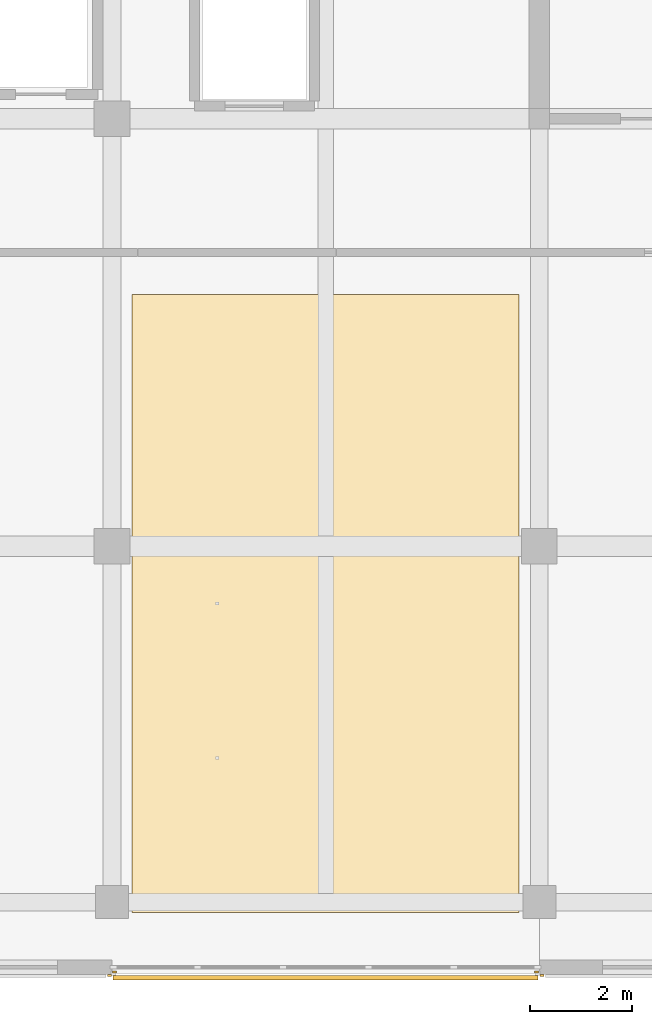
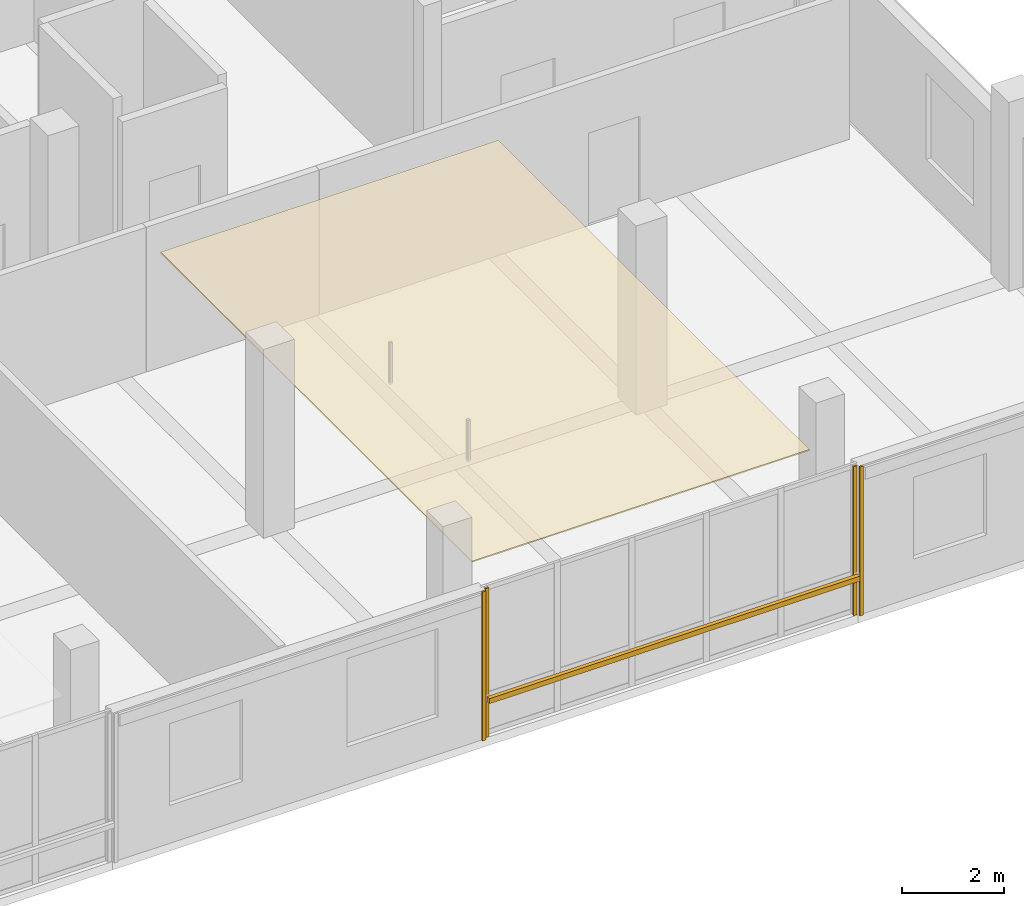
# One storey, part 22 of 28: 5 coverings, 1 shading device.
"""IFC4 building model written with IfcOpenShell, lengths in metres."""

from ifc_helpers import new_model, si_unit, direction, frame, origin, origin_2d, place, context, subcontext, project, spatial, polyline, rectangle, outline, extrude, material, layer, layer_set, type_object, element, save


model = new_model("IFC4")

# Units and contexts
model_context = context("Model", 3, precision=1e-05, world=origin(), true_north=direction((0.0, 1.0)))
body_context = subcontext(model_context, "Body", "Model", "MODEL_VIEW")
ifc_project = project(units=[si_unit("LENGTHUNIT", "METRE"), si_unit("AREAUNIT", "SQUARE_METRE"), si_unit("VOLUMEUNIT", "CUBIC_METRE"), si_unit("PLANEANGLEUNIT", "RADIAN"), si_unit("MASSUNIT", "GRAM", prefix="KILO")], contexts=[model_context])

# Site, building, storey
site_placement = place(None, origin())
site = spatial("IfcSite", under=ifc_project, at=site_placement, CompositionType="ELEMENT")
building_placement = place(site_placement, origin())
building = spatial("IfcBuilding", under=site, at=building_placement, Name="Telukmera Botanical Conservatory", CompositionType="ELEMENT")
storey_placement = place(building_placement, frame((0.0, 0.0, 51.0)))
storey = spatial("IfcBuildingStorey", under=building, at=storey_placement, Name="L11", CompositionType="ELEMENT", Elevation=51.0)

# Coverings
ifc_material_1 = material(Name="Mineral fibre acoustic ceiling")
ifc_layer_1 = layer(ifc_material_1, 0.030029296875)
ifc_layer_set_1 = layer_set([ifc_layer_1], Name="Mineral fibre acoustic ceiling")
covering_type_1 = type_object("IfcCoveringType", Name="COV-CEIL-30", PredefinedType="CEILING", material=ifc_layer_set_1)
covering_placement = place(storey_placement, frame((0.0, 0.0, 3.320068359375)))
element("IfcCovering", 1, at=covering_placement, inside=storey, type_object=covering_type_1, Name="L11 Natural Products Chemistry Laboratory Suspended Acoustic Ceiling", PredefinedType="CEILING", context=body_context, shape_type="SweptSolid", body=[
    extrude(outline(polyline([(84.39501953125, 10.39990234375), (92.0048828125, 10.39990234375), (92.0048828125, 22.550048828125), (84.39501953125, 22.550048828125), (84.39501953125, 10.39990234375)])), origin(), (0.0, 0.0, 1.0), 0.030029296875),
])
ifc_material_2 = material(Name="Granite-faced precast concrete C40/50", Category="masonry")
ifc_layer_2 = layer(ifc_material_2, 0.0400390625)
ifc_layer_set_2 = layer_set([ifc_layer_2], Name="Granite-faced precast concrete C40/50")
covering_type_2 = type_object("IfcCoveringType", Name="Granite Precast Column Pier Reveal Casing", PredefinedType="CLADDING", material=ifc_layer_set_2)
for number, where, z_axis, x_axis, name in (
    (2, (83.947998046875, 9.159912109375, 0.0), (0.0, 0.0, 1.0), (1.0, 0.0, 0.0), "Granite Pier Reveal V4:L11:S3 R"),
    (3, (84.052001953125, 9.22998046875, 0.0), (0.0, 0.0, 1.0), (1.0, 0.0, 0.0), "Granite Pier Reveal V4:L11:S4 L"),
    (4, (92.347900390625, 9.22998046875, 0.0), (0.0, 0.0, 1.0), (1.0, 0.0, 0.0), "Granite Pier Reveal V4:L11:S4 R"),
    (5, (92.451904296875, 9.159912109375, 0.0), (0.0, 0.0, 1.0), (1.0, 0.0, 0.0), "Granite Pier Reveal V4:L11:S5 L"),
):
    element("IfcCovering", number, at=place(storey_placement, frame(where, z_axis=z_axis, x_axis=x_axis)), inside=storey, type_object=covering_type_2, Name=name, PredefinedType="CLADDING", context=body_context, shape_type="SweptSolid", body=[
        extrude(rectangle(XDim=0.080078125, YDim=0.0400390625, at=origin_2d()), origin(), (0.0, 0.0, 1.0), 3.550048828125),
    ])

# Shading device
ifc_material_3 = material(Name="Perforated terracotta-anodised aluminium 6063-T6", Category="masonry")
ifc_layer_3 = layer(ifc_material_3, 0.044921875)
ifc_layer_set_3 = layer_set([ifc_layer_3], Name="Perforated terracotta-anodised aluminium 6063-T6")
shading_device_type = type_object("IfcShadingDeviceType", Name="Perforated Terracotta Aluminium Monsoon Brise Soleil", PredefinedType="JALOUSIE", material=ifc_layer_set_3)
shading_device_placement = place(storey_placement, frame((88.199951171875, 9.114990234375, 0.889892578125), z_axis=(0.0, 0.0, 1.0), x_axis=(1.0, 0.0, 0.0)))
element("IfcShadingDevice", 6, at=shading_device_placement, inside=storey, type_object=shading_device_type, Name="Monsoon Shading BS01 V4:L11:S4", PredefinedType="JALOUSIE", context=body_context, shape_type="SweptSolid", body=[
    extrude(rectangle(XDim=8.35595703125, YDim=0.090087890625, at=origin_2d()), origin(), (0.0, 0.0, 1.0), 0.1201171875),
])

save(model, "model.ifc")
